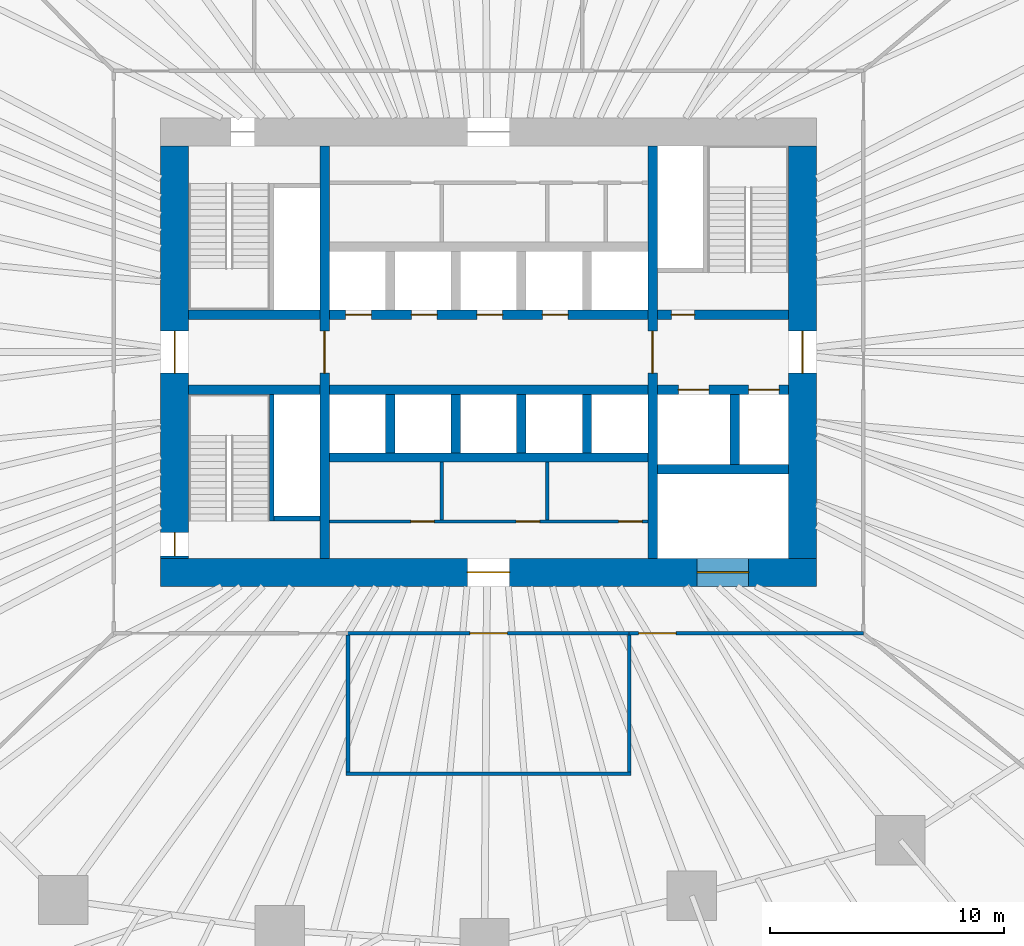
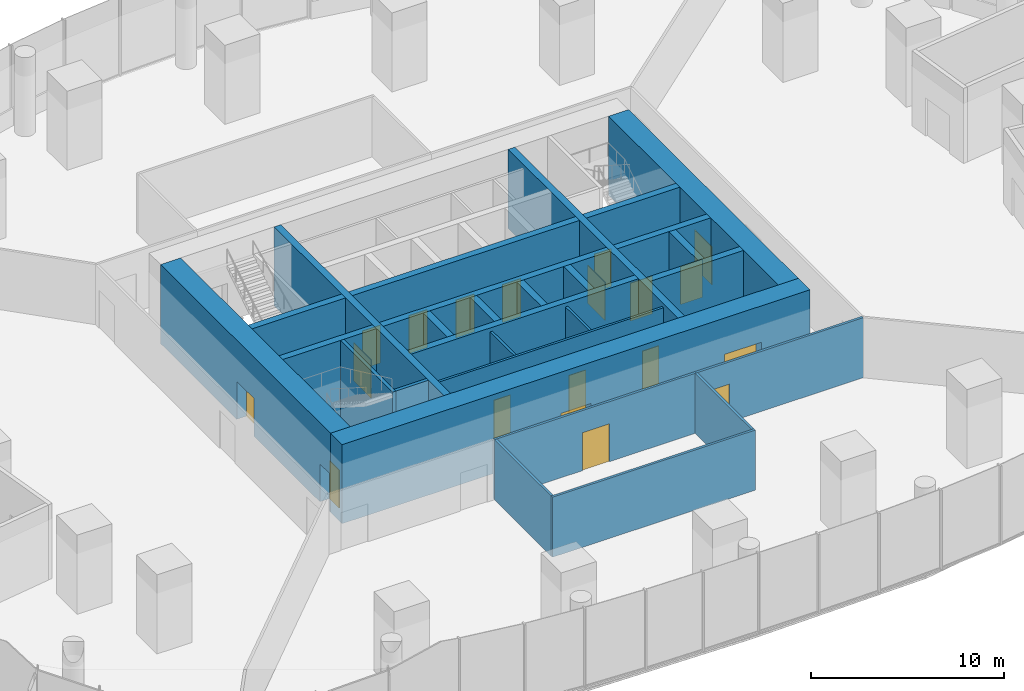
# One storey, part 12 of 27: 28 walls, 19 doors, 19 openings.
"""IFC4 building model written with IfcOpenShell, lengths in metres."""

from ifc_helpers import new_model, si_unit, direction, frame, frame_2d, origin, place, context, subcontext, project, spatial, rectangle, extrude, material, layer, layer_set, type_object, element, fill, save


model = new_model("IFC4")

# Units and contexts
model_context = context("Model", 3, precision=1e-05, world=origin(), true_north=direction((0.0, 1.0)))
body_context = subcontext(model_context, "Body", "Model", "MODEL_VIEW")
ifc_project = project(units=[si_unit("LENGTHUNIT", "METRE"), si_unit("AREAUNIT", "SQUARE_METRE"), si_unit("VOLUMEUNIT", "CUBIC_METRE"), si_unit("PLANEANGLEUNIT", "RADIAN"), si_unit("MASSUNIT", "GRAM", prefix="KILO")], contexts=[model_context])

# Site, building, storey
site_placement = place(None, origin())
site = spatial("IfcSite", under=ifc_project, at=site_placement, CompositionType="ELEMENT")
building_placement = place(site_placement, origin())
building = spatial("IfcBuilding", under=site, at=building_placement, Name="Ghaith Harvest Tower", CompositionType="ELEMENT")
storey_placement = place(building_placement, frame((0.0, 0.0, 10.0)))
storey = spatial("IfcBuildingStorey", under=building, at=storey_placement, Name="L02", CompositionType="ELEMENT", Elevation=10.0)

# Wall, openings, doors
ifc_material_1 = material(Name="Concrete blockwork, fair-faced", Category="masonry")
ifc_layer_1 = layer(ifc_material_1, 0.139892578125)
ifc_layer_set_1 = layer_set([ifc_layer_1], Name="CORE PARTITION 140")
wall_type_1 = type_object("IfcWallType", Name="CORE PARTITION 140", PredefinedType="PARTITIONING", material=ifc_layer_set_1)
wall_1_placement = place(storey_placement, frame((-6.800048828125, -7.22998046875, 0.0), z_axis=(0.0, 0.0, 1.0), x_axis=(1.0, 0.0, 0.0)))
wall_1 = element("IfcWall", 1, at=wall_1_placement, inside=storey, type_object=wall_type_1, Name="Core partition L02", PredefinedType="PARTITIONING", context=body_context, shape_type="SweptSolid", body=[
    extrude(rectangle(XDim=13.60009765625, YDim=0.139892578125, at=frame_2d((6.800048828125, 0.0))), origin(), (0.0, 0.0, 1.0), 4.75),
])
opening_1_placement = place(wall_1_placement, frame((3.47998046875, 0.0, 0.0)))
opening_1 = element("IfcOpeningElement", 2, at=opening_1_placement, cuts=wall_1, Name="Opening 02-012", PredefinedType="OPENING", context=body_context, shape_type="SweptSolid", body=[
    extrude(rectangle(XDim=1.0, YDim=2.39990234375, at=frame_2d((0.5, 1.199951171875))), frame((0.0, 0.080078125, 0.0), z_axis=(0.0, -1.0, 0.0), x_axis=(1.0, 0.0, 0.0)), (0.0, 0.0, 1.0), 0.159912109375),
])
opening_2_placement = place(wall_1_placement, frame((7.97998046875, 0.0, 0.0)))
opening_2 = element("IfcOpeningElement", 3, at=opening_2_placement, cuts=wall_1, Name="Opening 02-013", PredefinedType="OPENING", context=body_context, shape_type="SweptSolid", body=[
    extrude(rectangle(XDim=1.0, YDim=2.39990234375, at=frame_2d((0.5, 1.199951171875))), frame((0.0, 0.080078125, 0.0), z_axis=(0.0, -1.0, 0.0), x_axis=(1.0, 0.0, 0.0)), (0.0, 0.0, 1.0), 0.159912109375),
])
opening_3_placement = place(wall_1_placement, frame((12.35009765625, 0.0, 0.0)))
opening_3 = element("IfcOpeningElement", 4, at=opening_3_placement, cuts=wall_1, Name="Opening 02-014", PredefinedType="OPENING", context=body_context, shape_type="SweptSolid", body=[
    extrude(rectangle(XDim=1.0, YDim=2.39990234375, at=frame_2d((0.5, 1.199951171875))), frame((0.0, 0.080078125, 0.0), z_axis=(0.0, -1.0, 0.0), x_axis=(1.0, 0.0, 0.0)), (0.0, 0.0, 1.0), 0.159912109375),
])
ifc_material_2 = material(Name="Steel fire door", Category="steel")
door_type_1 = type_object("IfcDoorType", Name="D3 FD90 1000x2400", OperationType="SINGLE_SWING_LEFT", PredefinedType="DOOR", material=ifc_material_2)
door_1_placement = place(opening_1_placement, origin())
door_1 = element("IfcDoor", 5, at=door_1_placement, inside=storey, type_object=door_type_1, Name="Electrical room door", OperationType="SINGLE_SWING_LEFT", OverallHeight=2.39990234375, OverallWidth=1.0, PredefinedType="DOOR", context=body_context, shape_type="SweptSolid", body=[
    extrude(rectangle(XDim=1.0, YDim=2.39990234375, at=frame_2d((0.5, 1.199951171875))), frame((0.0, 0.02490234375, 0.0), z_axis=(0.0, -1.0, 0.0), x_axis=(1.0, 0.0, 0.0)), (0.0, 0.0, 1.0), 0.050048828125),
])
fill(opening_1, door_1)
door_2_placement = place(opening_2_placement, origin())
door_2 = element("IfcDoor", 6, at=door_2_placement, inside=storey, type_object=door_type_1, Name="Communications equipment room door", OperationType="SINGLE_SWING_RIGHT", OverallHeight=2.39990234375, OverallWidth=1.0, PredefinedType="DOOR", context=body_context, shape_type="SweptSolid", body=[
    extrude(rectangle(XDim=1.0, YDim=2.39990234375, at=frame_2d((0.5, 1.199951171875))), frame((0.0, 0.02490234375, 0.0), z_axis=(0.0, -1.0, 0.0), x_axis=(1.0, 0.0, 0.0)), (0.0, 0.0, 1.0), 0.050048828125),
])
fill(opening_2, door_2)
door_3_placement = place(opening_3_placement, origin())
door_3 = element("IfcDoor", 7, at=door_3_placement, inside=storey, type_object=door_type_1, Name="Riser room door", OperationType="SINGLE_SWING_RIGHT", OverallHeight=2.39990234375, OverallWidth=1.0, PredefinedType="DOOR", context=body_context, shape_type="SweptSolid", body=[
    extrude(rectangle(XDim=1.0, YDim=2.39990234375, at=frame_2d((0.5, 1.199951171875))), frame((0.0, 0.02490234375, 0.0), z_axis=(0.0, -1.0, 0.0), x_axis=(1.0, 0.0, 0.0)), (0.0, 0.0, 1.0), 0.050048828125),
])
fill(opening_3, door_3)

# Walls
for number, where, z_axis, x_axis, name in (
    (8, (-2.0, -4.699951171875, 0.0), (0.0, 0.0, 1.0), (0.0, -1.0, 0.0), "Core partition L02"),
    (9, (2.5, -4.699951171875, 0.0), (0.0, 0.0, 1.0), (0.0, -1.0, 0.0), "Core partition L02"),
):
    element("IfcWall", number, at=place(storey_placement, frame(where, z_axis=z_axis, x_axis=x_axis)), inside=storey, type_object=wall_type_1, Name=name, PredefinedType="PARTITIONING", context=body_context, shape_type="SweptSolid", body=[
        extrude(rectangle(XDim=2.4599609375, YDim=0.139892578125, at=frame_2d((1.22998046875, 0.0))), origin(), (0.0, 0.0, 1.0), 4.75),
    ])

# Wall, openings, doors
ifc_material_3 = material(Name="Concrete C70/85", Category="concrete")
ifc_layer_2 = layer(ifc_material_3, 1.199951171875)
ifc_layer_set_2 = layer_set([ifc_layer_2], Name="CORE WALL CW1200")
wall_type_2 = type_object("IfcWallType", Name="CORE WALL CW1200", PredefinedType="SHEAR", material=ifc_layer_set_2)
wall_2_placement = place(storey_placement, frame((-14.0, -9.39990234375, 0.0), z_axis=(0.0, 0.0, 1.0), x_axis=(1.0, 0.0, 0.0)))
wall_2 = element("IfcWall", 10, at=wall_2_placement, inside=storey, type_object=wall_type_2, Name="Core wall S L02", PredefinedType="SHEAR", context=body_context, shape_type="SweptSolid", body=[
    extrude(rectangle(XDim=28.0, YDim=1.199951171875, at=frame_2d((14.0, 0.0))), origin(), (0.0, 0.0, 1.0), 5.0),
])
opening_4_placement = place(wall_2_placement, frame((13.10009765625, 0.0, 0.0)))
opening_4 = element("IfcOpeningElement", 11, at=opening_4_placement, cuts=wall_2, Name="Opening 02-016", PredefinedType="OPENING", context=body_context, shape_type="SweptSolid", body=[
    extrude(rectangle(XDim=1.800048828125, YDim=2.39990234375, at=frame_2d((0.89990234375, 1.199951171875))), frame((0.0, 0.60986328125, 0.0), z_axis=(0.0, -1.0, 0.0), x_axis=(1.0, 0.0, 0.0)), (0.0, 0.0, 1.0), 1.219970703125),
])
opening_5_placement = place(wall_2_placement, frame((22.89990234375, 0.0, 0.0)))
opening_5 = element("IfcOpeningElement", 12, at=opening_5_placement, cuts=wall_2, Name="Opening 02-023", PredefinedType="OPENING", context=body_context, shape_type="SweptSolid", body=[
    extrude(rectangle(XDim=2.199951171875, YDim=2.699951171875, at=frame_2d((1.10009765625, 1.35009765625))), frame((0.0, 0.60986328125, 0.0), z_axis=(0.0, -1.0, 0.0), x_axis=(1.0, 0.0, 0.0)), (0.0, 0.0, 1.0), 1.219970703125),
])
ifc_material_4 = material(Name="Steel fire door", Category="steel")
door_type_2 = type_object("IfcDoorType", Name="D4 FD90 PAIR 1800x2400", OperationType="DOUBLE_DOOR_SINGLE_SWING", PredefinedType="DOOR", material=ifc_material_4)
door_4_placement = place(opening_4_placement, origin())
door_4 = element("IfcDoor", 13, at=door_4_placement, inside=storey, type_object=door_type_2, Name="Core service corridor doors", OperationType="DOUBLE_DOOR_SINGLE_SWING", OverallHeight=2.39990234375, OverallWidth=1.800048828125, PredefinedType="DOOR", context=body_context, shape_type="SweptSolid", body=[
    extrude(rectangle(XDim=1.800048828125, YDim=2.39990234375, at=frame_2d((0.89990234375, 1.199951171875))), frame((0.0, 0.02490234375, 0.0), z_axis=(0.0, -1.0, 0.0), x_axis=(1.0, 0.0, 0.0)), (0.0, 0.0, 1.0), 0.050048828125),
])
fill(opening_4, door_4)
ifc_material_5 = material(Name="Steel fire door", Category="steel")
door_type_3 = type_object("IfcDoorType", Name="LD3 LANDING 2200x2700", OperationType="DOUBLE_DOOR_SLIDING", PredefinedType="DOOR", material=ifc_material_5)
door_5_placement = place(opening_5_placement, origin())
door_5 = element("IfcDoor", 14, at=door_5_placement, inside=storey, type_object=door_type_3, Name="Landing door, goods lift GL1", OperationType="DOUBLE_DOOR_SLIDING", OverallHeight=2.699951171875, OverallWidth=2.199951171875, PredefinedType="DOOR", context=body_context, shape_type="SweptSolid", body=[
    extrude(rectangle(XDim=2.199951171875, YDim=2.699951171875, at=frame_2d((1.10009765625, 1.35009765625))), frame((0.0, 0.02490234375, 0.0), z_axis=(0.0, -1.0, 0.0), x_axis=(1.0, 0.0, 0.0)), (0.0, 0.0, 1.0), 0.050048828125),
])
fill(opening_5, door_5)

wall_3_placement = place(storey_placement, frame((-13.39990234375, 8.800048828125, 0.0), z_axis=(0.0, 0.0, 1.0), x_axis=(0.0, -1.0, 0.0)))
wall_3 = element("IfcWall", 15, at=wall_3_placement, inside=storey, type_object=wall_type_2, Name="Core wall W L02", PredefinedType="SHEAR", context=body_context, shape_type="SweptSolid", body=[
    extrude(rectangle(XDim=17.60009765625, YDim=1.199951171875, at=frame_2d((8.800048828125, 0.0))), origin(), (0.0, 0.0, 1.0), 5.0),
])
opening_6_placement = place(wall_3_placement, frame((7.89990234375, 0.0, 0.0)))
opening_6 = element("IfcOpeningElement", 16, at=opening_6_placement, cuts=wall_3, Name="Opening 02-001", PredefinedType="OPENING", context=body_context, shape_type="SweptSolid", body=[
    extrude(rectangle(XDim=1.800048828125, YDim=2.39990234375, at=frame_2d((0.89990234375, 1.199951171875))), frame((0.0, 0.60986328125, 0.0), z_axis=(0.0, -1.0, 0.0), x_axis=(1.0, 0.0, 0.0)), (0.0, 0.0, 1.0), 1.219970703125),
])
opening_7_placement = place(wall_3_placement, frame((16.5, 0.0, 0.0)))
opening_7 = element("IfcOpeningElement", 17, at=opening_7_placement, cuts=wall_3, Name="Opening 02-006", PredefinedType="OPENING", context=body_context, shape_type="SweptSolid", body=[
    extrude(rectangle(XDim=1.0, YDim=2.39990234375, at=frame_2d((0.5, 1.199951171875))), frame((0.0, 0.60986328125, 0.0), z_axis=(0.0, -1.0, 0.0), x_axis=(1.0, 0.0, 0.0)), (0.0, 0.0, 1.0), 1.219970703125),
])
door_6_placement = place(opening_7_placement, origin())
door_6 = element("IfcDoor", 18, at=door_6_placement, inside=storey, type_object=door_type_1, Name="Stair ST3 door", OperationType="SINGLE_SWING_RIGHT", OverallHeight=2.39990234375, OverallWidth=1.0, PredefinedType="DOOR", context=body_context, shape_type="SweptSolid", body=[
    extrude(rectangle(XDim=1.0, YDim=2.39990234375, at=frame_2d((0.5, 1.199951171875))), frame((0.0, 0.02490234375, 0.0), z_axis=(0.0, -1.0, 0.0), x_axis=(1.0, 0.0, 0.0)), (0.0, 0.0, 1.0), 0.050048828125),
])
fill(opening_7, door_6)
door_7_placement = place(opening_6_placement, origin())
door_7 = element("IfcDoor", 19, at=door_7_placement, inside=storey, type_object=door_type_2, Name="West lobby doors", OperationType="DOUBLE_DOOR_SINGLE_SWING", OverallHeight=2.39990234375, OverallWidth=1.800048828125, PredefinedType="DOOR", context=body_context, shape_type="SweptSolid", body=[
    extrude(rectangle(XDim=1.800048828125, YDim=2.39990234375, at=frame_2d((0.89990234375, 1.199951171875))), frame((0.0, 0.02490234375, 0.0), z_axis=(0.0, -1.0, 0.0), x_axis=(1.0, 0.0, 0.0)), (0.0, 0.0, 1.0), 0.050048828125),
])
fill(opening_6, door_7)

# Wall, opening, door
wall_4_placement = place(storey_placement, frame((13.39990234375, -8.800048828125, 0.0), z_axis=(0.0, 0.0, 1.0), x_axis=(0.0, 1.0, 0.0)))
wall_4 = element("IfcWall", 20, at=wall_4_placement, inside=storey, type_object=wall_type_2, Name="Core wall E L02", PredefinedType="SHEAR", context=body_context, shape_type="SweptSolid", body=[
    extrude(rectangle(XDim=17.60009765625, YDim=1.199951171875, at=frame_2d((8.800048828125, 0.0))), origin(), (0.0, 0.0, 1.0), 5.0),
])
opening_8_placement = place(wall_4_placement, frame((7.89990234375, 0.0, 0.0)))
opening_8 = element("IfcOpeningElement", 21, at=opening_8_placement, cuts=wall_4, Name="Opening 02-002", PredefinedType="OPENING", context=body_context, shape_type="SweptSolid", body=[
    extrude(rectangle(XDim=1.800048828125, YDim=2.39990234375, at=frame_2d((0.89990234375, 1.199951171875))), frame((0.0, 0.60986328125, 0.0), z_axis=(0.0, -1.0, 0.0), x_axis=(1.0, 0.0, 0.0)), (0.0, 0.0, 1.0), 1.219970703125),
])
door_8_placement = place(opening_8_placement, origin())
door_8 = element("IfcDoor", 22, at=door_8_placement, inside=storey, type_object=door_type_2, Name="Fire-fighting lobby doors", OperationType="DOUBLE_DOOR_SINGLE_SWING", OverallHeight=2.39990234375, OverallWidth=1.800048828125, PredefinedType="DOOR", context=body_context, shape_type="SweptSolid", body=[
    extrude(rectangle(XDim=1.800048828125, YDim=2.39990234375, at=frame_2d((0.89990234375, 1.199951171875))), frame((0.0, 0.02490234375, 0.0), z_axis=(0.0, -1.0, 0.0), x_axis=(1.0, 0.0, 0.0)), (0.0, 0.0, 1.0), 0.050048828125),
])
fill(opening_8, door_8)

ifc_material_6 = material(Name="Gypsum board on steel studs", Category="steel")
ifc_layer_3 = layer(ifc_material_6, 0.14990234375)
ifc_layer_set_3 = layer_set([ifc_layer_3], Name="PARTITION 150")
wall_type_3 = type_object("IfcWallType", Name="PARTITION 150", PredefinedType="PARTITIONING", material=ifc_layer_set_3)
wall_5_placement = place(storey_placement, frame((6.0, -12.0, 0.0), z_axis=(0.0, 0.0, 1.0), x_axis=(1.0, 0.0, 0.0)))
wall_5 = element("IfcWall", 23, at=wall_5_placement, inside=storey, type_object=wall_type_3, Name="Partition L02 zone enclosure", PredefinedType="PARTITIONING", context=body_context, shape_type="SweptSolid", body=[
    extrude(rectangle(XDim=10.0, YDim=0.14990234375, at=frame_2d((5.0, 0.0))), origin(), (0.0, 0.0, 1.0), 3.800048828125),
])
opening_9_placement = place(wall_5_placement, frame((0.39990234375, 0.0, 0.0)))
opening_9 = element("IfcOpeningElement", 24, at=opening_9_placement, cuts=wall_5, Name="Opening 02-037", PredefinedType="OPENING", context=body_context, shape_type="SweptSolid", body=[
    extrude(rectangle(XDim=1.60009765625, YDim=2.39990234375, at=frame_2d((0.800048828125, 1.199951171875))), frame((0.0, 0.0849609375, 0.0), z_axis=(0.0, -1.0, 0.0), x_axis=(1.0, 0.0, 0.0)), (0.0, 0.0, 1.0), 0.169921875),
])
ifc_material_7 = material(Name="Timber door", Category="wood")
door_type_4 = type_object("IfcDoorType", Name="D2 PAIR 1600x2400", OperationType="DOUBLE_DOOR_SINGLE_SWING", PredefinedType="DOOR", material=ifc_material_7)
door_9_placement = place(opening_9_placement, origin())
door_9 = element("IfcDoor", 25, at=door_9_placement, inside=storey, type_object=door_type_4, Name="Farmers' market south door", OperationType="DOUBLE_DOOR_SINGLE_SWING", OverallHeight=2.39990234375, OverallWidth=1.60009765625, PredefinedType="DOOR", context=body_context, shape_type="SweptSolid", body=[
    extrude(rectangle(XDim=1.60009765625, YDim=2.39990234375, at=frame_2d((0.800048828125, 1.199951171875))), frame((0.0, 0.02490234375, 0.0), z_axis=(0.0, -1.0, 0.0), x_axis=(1.0, 0.0, 0.0)), (0.0, 0.0, 1.0), 0.050048828125),
])
fill(opening_9, door_9)

# Wall
wall_6_placement = place(storey_placement, frame((-6.074951171875, -18.0, 0.0), z_axis=(0.0, 0.0, 1.0), x_axis=(1.0, 0.0, 0.0)))
element("IfcWall", 26, at=wall_6_placement, inside=storey, type_object=wall_type_3, Name="Partition L02-02", PredefinedType="PARTITIONING", context=body_context, shape_type="SweptSolid", body=[
    extrude(rectangle(XDim=12.14990234375, YDim=0.14990234375, at=frame_2d((6.074951171875, 0.0))), origin(), (0.0, 0.0, 1.0), 3.800048828125),
])

# Wall, opening, door
wall_7_placement = place(storey_placement, frame((-6.074951171875, -12.0, 0.0), z_axis=(0.0, 0.0, 1.0), x_axis=(1.0, 0.0, 0.0)))
wall_7 = element("IfcWall", 27, at=wall_7_placement, inside=storey, type_object=wall_type_3, Name="Partition L02-02", PredefinedType="PARTITIONING", context=body_context, shape_type="SweptSolid", body=[
    extrude(rectangle(XDim=12.14990234375, YDim=0.14990234375, at=frame_2d((6.074951171875, 0.0))), origin(), (0.0, 0.0, 1.0), 3.800048828125),
])
opening_10_placement = place(wall_7_placement, frame((5.27490234375, 0.0, 0.0)))
opening_10 = element("IfcOpeningElement", 28, at=opening_10_placement, cuts=wall_7, Name="Opening 02-029", PredefinedType="OPENING", context=body_context, shape_type="SweptSolid", body=[
    extrude(rectangle(XDim=1.60009765625, YDim=2.39990234375, at=frame_2d((0.800048828125, 1.199951171875))), frame((0.0, 0.0849609375, 0.0), z_axis=(0.0, -1.0, 0.0), x_axis=(1.0, 0.0, 0.0)), (0.0, 0.0, 1.0), 0.169921875),
])
door_10_placement = place(opening_10_placement, origin())
door_10 = element("IfcDoor", 29, at=door_10_placement, inside=storey, type_object=door_type_4, Name="Produce store door", OperationType="DOUBLE_DOOR_SINGLE_SWING", OverallHeight=2.39990234375, OverallWidth=1.60009765625, PredefinedType="DOOR", context=body_context, shape_type="SweptSolid", body=[
    extrude(rectangle(XDim=1.60009765625, YDim=2.39990234375, at=frame_2d((0.800048828125, 1.199951171875))), frame((0.0, 0.02490234375, 0.0), z_axis=(0.0, -1.0, 0.0), x_axis=(1.0, 0.0, 0.0)), (0.0, 0.0, 1.0), 0.050048828125),
])
fill(opening_10, door_10)

# Walls
for number, where, z_axis, x_axis, name in (
    (30, (-6.0, -17.925048828125, 0.0), (0.0, 0.0, 1.0), (0.0, 1.0, 0.0), "Partition L02-02"),
    (31, (6.0, -17.925048828125, 0.0), (0.0, 0.0, 1.0), (0.0, 1.0, 0.0), "Partition L02-02"),
):
    element("IfcWall", number, at=place(storey_placement, frame(where, z_axis=z_axis, x_axis=x_axis)), inside=storey, type_object=wall_type_3, Name=name, PredefinedType="PARTITIONING", context=body_context, shape_type="SweptSolid", body=[
        extrude(rectangle(XDim=5.85009765625, YDim=0.14990234375, at=frame_2d((2.925048828125, 0.0))), origin(), (0.0, 0.0, 1.0), 3.800048828125),
    ])

# Wall, opening, door
ifc_material_8 = material(Name="Concrete C70/85", Category="concrete")
ifc_layer_4 = layer(ifc_material_8, 0.39990234375)
ifc_layer_set_4 = layer_set([ifc_layer_4], Name="SHAFT WALL 400")
wall_type_4 = type_object("IfcWallType", Name="SHAFT WALL 400", PredefinedType="SHEAR", material=ifc_layer_set_4)
wall_8_placement = place(storey_placement, frame((-7.0, -8.800048828125, 0.0), z_axis=(0.0, 0.0, 1.0), x_axis=(0.0, 1.0, 0.0)))
wall_8 = element("IfcWall", 32, at=wall_8_placement, inside=storey, type_object=wall_type_4, Name="Shaft wall W7W L02", PredefinedType="SHEAR", context=body_context, shape_type="SweptSolid", body=[
    extrude(rectangle(XDim=17.60009765625, YDim=0.39990234375, at=frame_2d((8.800048828125, 0.0))), origin(), (0.0, 0.0, 1.0), 5.0),
])
opening_11_placement = place(wall_8_placement, frame((7.89990234375, 0.0, 0.0)))
opening_11 = element("IfcOpeningElement", 33, at=opening_11_placement, cuts=wall_8, Name="Opening 02-003", PredefinedType="OPENING", context=body_context, shape_type="SweptSolid", body=[
    extrude(rectangle(XDim=1.800048828125, YDim=2.39990234375, at=frame_2d((0.89990234375, 1.199951171875))), frame((0.0, 0.2099609375, 0.0), z_axis=(0.0, -1.0, 0.0), x_axis=(1.0, 0.0, 0.0)), (0.0, 0.0, 1.0), 0.419921875),
])
door_11_placement = place(opening_11_placement, origin())
door_11 = element("IfcDoor", 34, at=door_11_placement, inside=storey, type_object=door_type_2, Name="Lift lobby doors, west", OperationType="DOUBLE_DOOR_SINGLE_SWING", OverallHeight=2.39990234375, OverallWidth=1.800048828125, PredefinedType="DOOR", context=body_context, shape_type="SweptSolid", body=[
    extrude(rectangle(XDim=1.800048828125, YDim=2.39990234375, at=frame_2d((0.89990234375, 1.199951171875))), frame((0.0, 0.02490234375, 0.0), z_axis=(0.0, -1.0, 0.0), x_axis=(1.0, 0.0, 0.0)), (0.0, 0.0, 1.0), 0.050048828125),
])
fill(opening_11, door_11)

wall_9_placement = place(storey_placement, frame((7.0, -8.800048828125, 0.0), z_axis=(0.0, 0.0, 1.0), x_axis=(0.0, 1.0, 0.0)))
wall_9 = element("IfcWall", 35, at=wall_9_placement, inside=storey, type_object=wall_type_4, Name="Shaft wall W7E L02", PredefinedType="SHEAR", context=body_context, shape_type="SweptSolid", body=[
    extrude(rectangle(XDim=17.60009765625, YDim=0.39990234375, at=frame_2d((8.800048828125, 0.0))), origin(), (0.0, 0.0, 1.0), 5.0),
])
opening_12_placement = place(wall_9_placement, frame((7.89990234375, 0.0, 0.0)))
opening_12 = element("IfcOpeningElement", 36, at=opening_12_placement, cuts=wall_9, Name="Opening 02-004", PredefinedType="OPENING", context=body_context, shape_type="SweptSolid", body=[
    extrude(rectangle(XDim=1.800048828125, YDim=2.39990234375, at=frame_2d((0.89990234375, 1.199951171875))), frame((0.0, 0.2099609375, 0.0), z_axis=(0.0, -1.0, 0.0), x_axis=(1.0, 0.0, 0.0)), (0.0, 0.0, 1.0), 0.419921875),
])
door_12_placement = place(opening_12_placement, origin())
door_12 = element("IfcDoor", 37, at=door_12_placement, inside=storey, type_object=door_type_2, Name="Lift lobby doors, east", OperationType="DOUBLE_DOOR_SINGLE_SWING", OverallHeight=2.39990234375, OverallWidth=1.800048828125, PredefinedType="DOOR", context=body_context, shape_type="SweptSolid", body=[
    extrude(rectangle(XDim=1.800048828125, YDim=2.39990234375, at=frame_2d((0.89990234375, 1.199951171875))), frame((0.0, 0.02490234375, 0.0), z_axis=(0.0, -1.0, 0.0), x_axis=(1.0, 0.0, 0.0)), (0.0, 0.0, 1.0), 0.050048828125),
])
fill(opening_12, door_12)

# Wall, openings, doors
wall_10_placement = place(storey_placement, frame((-6.800048828125, 1.60009765625, 0.0), z_axis=(0.0, 0.0, 1.0), x_axis=(1.0, 0.0, 0.0)))
wall_10 = element("IfcWall", 38, at=wall_10_placement, inside=storey, type_object=wall_type_4, Name="Shaft wall LN L02", PredefinedType="SHEAR", context=body_context, shape_type="SweptSolid", body=[
    extrude(rectangle(XDim=13.60009765625, YDim=0.39990234375, at=frame_2d((6.800048828125, 0.0))), origin(), (0.0, 0.0, 1.0), 5.0),
])
opening_13_placement = place(wall_10_placement, frame((0.699951171875, 0.0, 0.0)))
opening_13 = element("IfcOpeningElement", 39, at=opening_13_placement, cuts=wall_10, Name="Opening 02-017", PredefinedType="OPENING", context=body_context, shape_type="SweptSolid", body=[
    extrude(rectangle(XDim=1.10009765625, YDim=2.39990234375, at=frame_2d((0.550048828125, 1.199951171875))), frame((0.0, 0.2099609375, 0.0), z_axis=(0.0, -1.0, 0.0), x_axis=(1.0, 0.0, 0.0)), (0.0, 0.0, 1.0), 0.419921875),
])
opening_14_placement = place(wall_10_placement, frame((3.5, 0.0, 0.0)))
opening_14 = element("IfcOpeningElement", 40, at=opening_14_placement, cuts=wall_10, Name="Opening 02-018", PredefinedType="OPENING", context=body_context, shape_type="SweptSolid", body=[
    extrude(rectangle(XDim=1.10009765625, YDim=2.39990234375, at=frame_2d((0.550048828125, 1.199951171875))), frame((0.0, 0.2099609375, 0.0), z_axis=(0.0, -1.0, 0.0), x_axis=(1.0, 0.0, 0.0)), (0.0, 0.0, 1.0), 0.419921875),
])
opening_15_placement = place(wall_10_placement, frame((6.300048828125, 0.0, 0.0)))
opening_15 = element("IfcOpeningElement", 41, at=opening_15_placement, cuts=wall_10, Name="Opening 02-019", PredefinedType="OPENING", context=body_context, shape_type="SweptSolid", body=[
    extrude(rectangle(XDim=1.10009765625, YDim=2.39990234375, at=frame_2d((0.550048828125, 1.199951171875))), frame((0.0, 0.2099609375, 0.0), z_axis=(0.0, -1.0, 0.0), x_axis=(1.0, 0.0, 0.0)), (0.0, 0.0, 1.0), 0.419921875),
])
opening_16_placement = place(wall_10_placement, frame((9.10009765625, 0.0, 0.0)))
opening_16 = element("IfcOpeningElement", 42, at=opening_16_placement, cuts=wall_10, Name="Opening 02-020", PredefinedType="OPENING", context=body_context, shape_type="SweptSolid", body=[
    extrude(rectangle(XDim=1.10009765625, YDim=2.39990234375, at=frame_2d((0.550048828125, 1.199951171875))), frame((0.0, 0.2099609375, 0.0), z_axis=(0.0, -1.0, 0.0), x_axis=(1.0, 0.0, 0.0)), (0.0, 0.0, 1.0), 0.419921875),
])
ifc_material_9 = material(Name="Steel fire door", Category="steel")
door_type_5 = type_object("IfcDoorType", Name="LD1 LANDING 1100x2400", OperationType="DOUBLE_DOOR_SLIDING", PredefinedType="DOOR", material=ifc_material_9)
door_13_placement = place(opening_13_placement, origin())
door_13 = element("IfcDoor", 43, at=door_13_placement, inside=storey, type_object=door_type_5, Name="Landing door, lift FA1", OperationType="DOUBLE_DOOR_SLIDING", OverallHeight=2.39990234375, OverallWidth=1.10009765625, PredefinedType="DOOR", context=body_context, shape_type="SweptSolid", body=[
    extrude(rectangle(XDim=1.10009765625, YDim=2.39990234375, at=frame_2d((0.550048828125, 1.199951171875))), frame((0.0, 0.02490234375, 0.0), z_axis=(0.0, -1.0, 0.0), x_axis=(1.0, 0.0, 0.0)), (0.0, 0.0, 1.0), 0.050048828125),
])
fill(opening_13, door_13)
door_14_placement = place(opening_14_placement, origin())
door_14 = element("IfcDoor", 44, at=door_14_placement, inside=storey, type_object=door_type_5, Name="Landing door, lift FA2", OperationType="DOUBLE_DOOR_SLIDING", OverallHeight=2.39990234375, OverallWidth=1.10009765625, PredefinedType="DOOR", context=body_context, shape_type="SweptSolid", body=[
    extrude(rectangle(XDim=1.10009765625, YDim=2.39990234375, at=frame_2d((0.550048828125, 1.199951171875))), frame((0.0, 0.02490234375, 0.0), z_axis=(0.0, -1.0, 0.0), x_axis=(1.0, 0.0, 0.0)), (0.0, 0.0, 1.0), 0.050048828125),
])
fill(opening_14, door_14)
door_15_placement = place(opening_15_placement, origin())
door_15 = element("IfcDoor", 45, at=door_15_placement, inside=storey, type_object=door_type_5, Name="Landing door, lift FA3", OperationType="DOUBLE_DOOR_SLIDING", OverallHeight=2.39990234375, OverallWidth=1.10009765625, PredefinedType="DOOR", context=body_context, shape_type="SweptSolid", body=[
    extrude(rectangle(XDim=1.10009765625, YDim=2.39990234375, at=frame_2d((0.550048828125, 1.199951171875))), frame((0.0, 0.02490234375, 0.0), z_axis=(0.0, -1.0, 0.0), x_axis=(1.0, 0.0, 0.0)), (0.0, 0.0, 1.0), 0.050048828125),
])
fill(opening_15, door_15)
door_16_placement = place(opening_16_placement, origin())
door_16 = element("IfcDoor", 46, at=door_16_placement, inside=storey, type_object=door_type_5, Name="Landing door, lift FA4", OperationType="DOUBLE_DOOR_SLIDING", OverallHeight=2.39990234375, OverallWidth=1.10009765625, PredefinedType="DOOR", context=body_context, shape_type="SweptSolid", body=[
    extrude(rectangle(XDim=1.10009765625, YDim=2.39990234375, at=frame_2d((0.550048828125, 1.199951171875))), frame((0.0, 0.02490234375, 0.0), z_axis=(0.0, -1.0, 0.0), x_axis=(1.0, 0.0, 0.0)), (0.0, 0.0, 1.0), 0.050048828125),
])
fill(opening_16, door_16)

# Walls
for number, where, z_axis, x_axis, name in (
    (47, (-6.800048828125, -1.60009765625, 0.0), (0.0, 0.0, 1.0), (1.0, 0.0, 0.0), "Shaft wall LS L02"),
    (48, (-6.800048828125, -4.5, 0.0), (0.0, 0.0, 1.0), (1.0, 0.0, 0.0), "Shaft wall BS L02"),
):
    element("IfcWall", number, at=place(storey_placement, frame(where, z_axis=z_axis, x_axis=x_axis)), inside=storey, type_object=wall_type_4, Name=name, PredefinedType="SHEAR", context=body_context, shape_type="SweptSolid", body=[
        extrude(rectangle(XDim=13.60009765625, YDim=0.39990234375, at=frame_2d((6.800048828125, 0.0))), origin(), (0.0, 0.0, 1.0), 5.0),
    ])
for number, where, z_axis, x_axis, name in (
    (49, (-12.800048828125, 1.60009765625, 0.0), (0.0, 0.0, 1.0), (1.0, 0.0, 0.0), "Shaft wall WN L02"),
    (50, (-12.800048828125, -1.60009765625, 0.0), (0.0, 0.0, 1.0), (1.0, 0.0, 0.0), "Shaft wall WS L02"),
):
    element("IfcWall", number, at=place(storey_placement, frame(where, z_axis=z_axis, x_axis=x_axis)), inside=storey, type_object=wall_type_4, Name=name, PredefinedType="SHEAR", context=body_context, shape_type="SweptSolid", body=[
        extrude(rectangle(XDim=5.60009765625, YDim=0.39990234375, at=frame_2d((2.800048828125, 0.0))), origin(), (0.0, 0.0, 1.0), 5.0),
    ])

# Wall, opening, door
wall_11_placement = place(storey_placement, frame((7.199951171875, 1.60009765625, 0.0), z_axis=(0.0, 0.0, 1.0), x_axis=(1.0, 0.0, 0.0)))
wall_11 = element("IfcWall", 51, at=wall_11_placement, inside=storey, type_object=wall_type_4, Name="Shaft wall EN L02", PredefinedType="SHEAR", context=body_context, shape_type="SweptSolid", body=[
    extrude(rectangle(XDim=5.60009765625, YDim=0.39990234375, at=frame_2d((2.800048828125, 0.0))), origin(), (0.0, 0.0, 1.0), 5.0),
])
opening_17_placement = place(wall_11_placement, frame((0.60009765625, 0.0, 0.0)))
opening_17 = element("IfcOpeningElement", 52, at=opening_17_placement, cuts=wall_11, Name="Opening 02-007", PredefinedType="OPENING", context=body_context, shape_type="SweptSolid", body=[
    extrude(rectangle(XDim=1.0, YDim=2.39990234375, at=frame_2d((0.5, 1.199951171875))), frame((0.0, 0.2099609375, 0.0), z_axis=(0.0, -1.0, 0.0), x_axis=(1.0, 0.0, 0.0)), (0.0, 0.0, 1.0), 0.419921875),
])
door_17_placement = place(opening_17_placement, origin())
door_17 = element("IfcDoor", 53, at=door_17_placement, inside=storey, type_object=door_type_1, Name="Stair ST2 door", OperationType="SINGLE_SWING_LEFT", OverallHeight=2.39990234375, OverallWidth=1.0, PredefinedType="DOOR", context=body_context, shape_type="SweptSolid", body=[
    extrude(rectangle(XDim=1.0, YDim=2.39990234375, at=frame_2d((0.5, 1.199951171875))), frame((0.0, 0.02490234375, 0.0), z_axis=(0.0, -1.0, 0.0), x_axis=(1.0, 0.0, 0.0)), (0.0, 0.0, 1.0), 0.050048828125),
])
fill(opening_17, door_17)

# Wall, openings, doors
wall_12_placement = place(storey_placement, frame((7.199951171875, -1.60009765625, 0.0), z_axis=(0.0, 0.0, 1.0), x_axis=(1.0, 0.0, 0.0)))
wall_12 = element("IfcWall", 54, at=wall_12_placement, inside=storey, type_object=wall_type_4, Name="Shaft wall ES L02", PredefinedType="SHEAR", context=body_context, shape_type="SweptSolid", body=[
    extrude(rectangle(XDim=5.60009765625, YDim=0.39990234375, at=frame_2d((2.800048828125, 0.0))), origin(), (0.0, 0.0, 1.0), 5.0),
])
opening_18_placement = place(wall_12_placement, frame((0.89990234375, 0.0, 0.0)))
opening_18 = element("IfcOpeningElement", 55, at=opening_18_placement, cuts=wall_12, Name="Opening 02-021", PredefinedType="OPENING", context=body_context, shape_type="SweptSolid", body=[
    extrude(rectangle(XDim=1.300048828125, YDim=2.39990234375, at=frame_2d((0.64990234375, 1.199951171875))), frame((0.0, 0.2099609375, 0.0), z_axis=(0.0, -1.0, 0.0), x_axis=(1.0, 0.0, 0.0)), (0.0, 0.0, 1.0), 0.419921875),
])
opening_19_placement = place(wall_12_placement, frame((3.89990234375, 0.0, 0.0)))
opening_19 = element("IfcOpeningElement", 56, at=opening_19_placement, cuts=wall_12, Name="Opening 02-022", PredefinedType="OPENING", context=body_context, shape_type="SweptSolid", body=[
    extrude(rectangle(XDim=1.300048828125, YDim=2.39990234375, at=frame_2d((0.64990234375, 1.199951171875))), frame((0.0, 0.2099609375, 0.0), z_axis=(0.0, -1.0, 0.0), x_axis=(1.0, 0.0, 0.0)), (0.0, 0.0, 1.0), 0.419921875),
])
ifc_material_10 = material(Name="Steel fire door", Category="steel")
door_type_6 = type_object("IfcDoorType", Name="LD2 LANDING 1300x2400", OperationType="DOUBLE_DOOR_SLIDING", PredefinedType="DOOR", material=ifc_material_10)
door_18_placement = place(opening_18_placement, origin())
door_18 = element("IfcDoor", 57, at=door_18_placement, inside=storey, type_object=door_type_6, Name="Landing door, fire service lift FL1", OperationType="DOUBLE_DOOR_SLIDING", OverallHeight=2.39990234375, OverallWidth=1.300048828125, PredefinedType="DOOR", context=body_context, shape_type="SweptSolid", body=[
    extrude(rectangle(XDim=1.300048828125, YDim=2.39990234375, at=frame_2d((0.64990234375, 1.199951171875))), frame((0.0, 0.02490234375, 0.0), z_axis=(0.0, -1.0, 0.0), x_axis=(1.0, 0.0, 0.0)), (0.0, 0.0, 1.0), 0.050048828125),
])
fill(opening_18, door_18)
door_19_placement = place(opening_19_placement, origin())
door_19 = element("IfcDoor", 58, at=door_19_placement, inside=storey, type_object=door_type_6, Name="Landing door, fire service lift FL2", OperationType="DOUBLE_DOOR_SLIDING", OverallHeight=2.39990234375, OverallWidth=1.300048828125, PredefinedType="DOOR", context=body_context, shape_type="SweptSolid", body=[
    extrude(rectangle(XDim=1.300048828125, YDim=2.39990234375, at=frame_2d((0.64990234375, 1.199951171875))), frame((0.0, 0.02490234375, 0.0), z_axis=(0.0, -1.0, 0.0), x_axis=(1.0, 0.0, 0.0)), (0.0, 0.0, 1.0), 0.050048828125),
])
fill(opening_19, door_19)

# Walls
wall_13_placement = place(storey_placement, frame((10.5, -4.800048828125, 0.0), z_axis=(0.0, 0.0, 1.0), x_axis=(0.0, 1.0, 0.0)))
element("IfcWall", 59, at=wall_13_placement, inside=storey, type_object=wall_type_4, Name="Shaft wall FLD L02", PredefinedType="SHEAR", context=body_context, shape_type="SweptSolid", body=[
    extrude(rectangle(XDim=3.0, YDim=0.39990234375, at=frame_2d((1.5, 0.0))), origin(), (0.0, 0.0, 1.0), 5.0),
])
wall_14_placement = place(storey_placement, frame((7.199951171875, -5.0, 0.0), z_axis=(0.0, 0.0, 1.0), x_axis=(1.0, 0.0, 0.0)))
element("IfcWall", 60, at=wall_14_placement, inside=storey, type_object=wall_type_4, Name="Shaft wall FLB L02", PredefinedType="SHEAR", context=body_context, shape_type="SweptSolid", body=[
    extrude(rectangle(XDim=5.60009765625, YDim=0.39990234375, at=frame_2d((2.800048828125, 0.0))), origin(), (0.0, 0.0, 1.0), 5.0),
])
for number, where, z_axis, x_axis, name in (
    (61, (-4.199951171875, -4.300048828125, 0.0), (0.0, 0.0, 1.0), (0.0, 1.0, 0.0), "Shaft wall DS1 L02"),
    (62, (-1.39990234375, -4.300048828125, 0.0), (0.0, 0.0, 1.0), (0.0, 1.0, 0.0), "Shaft wall DS2 L02"),
    (63, (1.39990234375, -4.300048828125, 0.0), (0.0, 0.0, 1.0), (0.0, 1.0, 0.0), "Shaft wall DS3 L02"),
    (64, (4.199951171875, -4.300048828125, 0.0), (0.0, 0.0, 1.0), (0.0, 1.0, 0.0), "Shaft wall DS4 L02"),
):
    element("IfcWall", number, at=place(storey_placement, frame(where, z_axis=z_axis, x_axis=x_axis)), inside=storey, type_object=wall_type_4, Name=name, PredefinedType="SHEAR", context=body_context, shape_type="SweptSolid", body=[
        extrude(rectangle(XDim=2.5, YDim=0.39990234375, at=frame_2d((1.25, 0.0))), origin(), (0.0, 0.0, 1.0), 5.0),
    ])
ifc_material_11 = material(Name="Concrete C40/50", Category="concrete")
ifc_layer_5 = layer(ifc_material_11, 0.199951171875)
ifc_layer_set_5 = layer_set([ifc_layer_5], Name="STAIR SPINE WALL RC200")
wall_type_5 = type_object("IfcWallType", Name="STAIR SPINE WALL RC200", PredefinedType="SOLIDWALL", material=ifc_layer_set_5)
wall_15_placement = place(storey_placement, frame((-9.25, -7.199951171875, 0.0), z_axis=(0.0, 0.0, 1.0), x_axis=(0.0, 1.0, 0.0)))
element("IfcWall", 65, at=wall_15_placement, inside=storey, type_object=wall_type_5, Name="Stair ST3 spine wall L02", PredefinedType="SOLIDWALL", context=body_context, shape_type="SweptSolid", body=[
    extrude(rectangle(XDim=5.39990234375, YDim=0.199951171875, at=frame_2d((2.699951171875, 0.0))), origin(), (0.0, 0.0, 1.0), 5.0),
])
wall_16_placement = place(storey_placement, frame((-9.14990234375, -7.10009765625, 0.0), z_axis=(0.0, 0.0, 1.0), x_axis=(1.0, 0.0, 0.0)))
element("IfcWall", 66, at=wall_16_placement, inside=storey, type_object=wall_type_5, Name="Stair ST3 spine wall return L02", PredefinedType="SOLIDWALL", context=body_context, shape_type="SweptSolid", body=[
    extrude(rectangle(XDim=1.949951171875, YDim=0.199951171875, at=frame_2d((0.97509765625, 0.0))), origin(), (0.0, 0.0, 1.0), 5.0),
])

save(model, "model.ifc")
